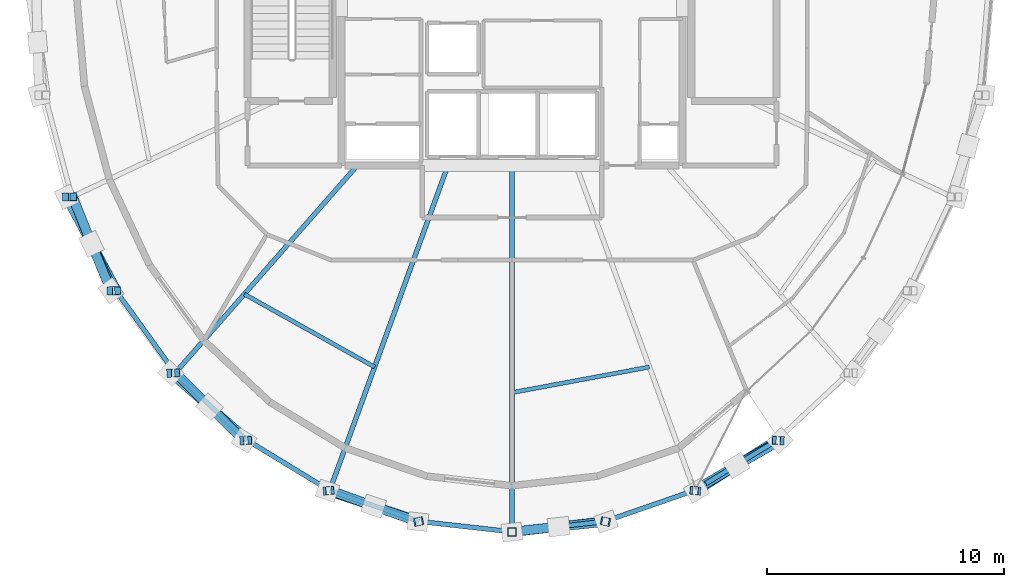
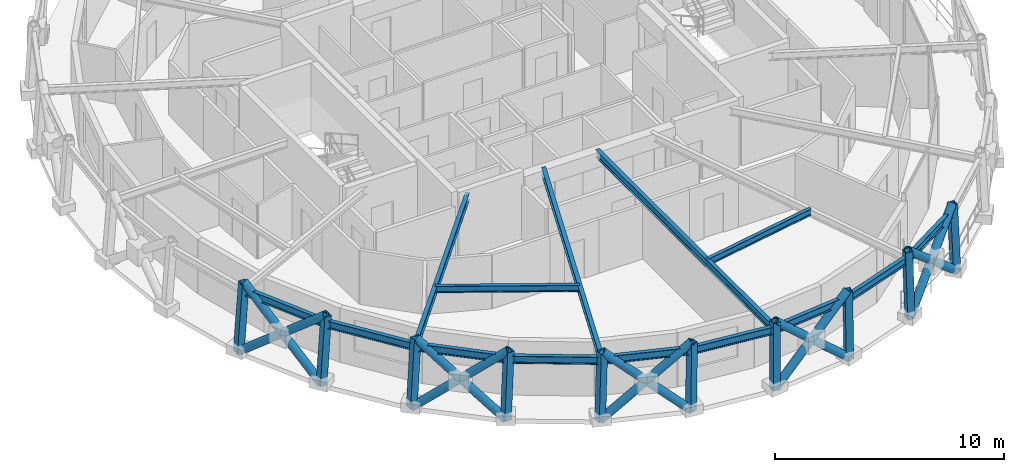
# One storey, part 1 of 16: 25 members, 14 beams.
"""IFC4 building model written with IfcOpenShell, lengths in metres."""

from ifc_helpers import new_model, si_unit, direction, frame, origin, origin_2d, place, context, subcontext, project, spatial, hollow_rectangle, hollow_circle, i_section, extrude, material, material_profile, profile_set, type_object, element, save


model = new_model("IFC4")

# Units and contexts
model_context = context("Model", 3, precision=1e-05, world=origin(), true_north=direction((0.0, 1.0)))
body_context = subcontext(model_context, "Body", "Model", "MODEL_VIEW")
ifc_project = project(units=[si_unit("LENGTHUNIT", "METRE"), si_unit("AREAUNIT", "SQUARE_METRE"), si_unit("VOLUMEUNIT", "CUBIC_METRE"), si_unit("PLANEANGLEUNIT", "RADIAN"), si_unit("MASSUNIT", "GRAM", prefix="KILO")], contexts=[model_context])

# Site, building, storey
site_placement = place(None, origin())
site = spatial("IfcSite", under=ifc_project, at=site_placement, CompositionType="ELEMENT")
building_placement = place(site_placement, origin())
building = spatial("IfcBuilding", under=site, at=building_placement, Name="Veldorina Hangang Commons", CompositionType="ELEMENT")
storey_placement = place(building_placement, frame((0.0, 0.0, 283.199951171875)))
storey = spatial("IfcBuildingStorey", under=building, at=storey_placement, Name="L74", CompositionType="ELEMENT", Elevation=283.199951171875)

# Beams
ifc_material = material(Name="Steel SM355-TMC", Category="steel")
ifc_material_profile_1 = material_profile(ifc_material, i_section(OverallWidth=0.199951171875, OverallDepth=0.39990234375, WebThickness=0.008056640625, FlangeThickness=0.012939453125, FilletRadius=0.012939453125, at=origin_2d()), Name="H-400x200x8x13")
ifc_profile_set_1 = profile_set([ifc_material_profile_1], Name="Steel SM355-TMC")
beam_type_1 = type_object("IfcBeamType", Name="BM-FG400", PredefinedType="BEAM", material=ifc_profile_set_1)
beam_1_placement = place(storey_placement, frame((25.45849609375, 16.550048828125, 3.16015625), z_axis=(-0.659795122774, -0.75144553759, 0.0), x_axis=(0.75144553759, -0.659795122774, 0.0)))
element("IfcBeam", 1, at=beam_1_placement, inside=storey, type_object=beam_type_1, Name="L74 radial floor girder 11", PredefinedType="BEAM", context=body_context, shape_type="SweptSolid", body=[
    extrude(i_section(OverallWidth=0.199951171875, OverallDepth=0.39990234375, WebThickness=0.008056640625, FlangeThickness=0.012939453125, FilletRadius=0.012939453125, at=origin_2d()), origin(), (0.0, 0.0, 1.0), 11.670166015625),
])
beam_2_placement = place(storey_placement, frame((29.290283203125, 16.550048828125, 3.16015625), z_axis=(-0.341787301466, -0.939777335626, 0.0), x_axis=(0.939777335626, -0.341787301466, 0.0)))
element("IfcBeam", 2, at=beam_2_placement, inside=storey, type_object=beam_type_1, Name="L74 radial floor girder 12", PredefinedType="BEAM", context=body_context, shape_type="SweptSolid", body=[
    extrude(i_section(OverallWidth=0.199951171875, OverallDepth=0.39990234375, WebThickness=0.008056640625, FlangeThickness=0.012939453125, FilletRadius=0.012939453125, at=origin_2d()), origin(), (0.0, 0.0, 1.0), 14.62255859375),
])
beam_3_placement = place(storey_placement, frame((32.0, 16.550048828125, 3.16015625), z_axis=(0.0, -1.0, 0.0), x_axis=(1.0, 0.0, 0.0)))
element("IfcBeam", 3, at=beam_3_placement, inside=storey, type_object=beam_type_1, Name="L74 radial floor girder 13", PredefinedType="BEAM", context=body_context, shape_type="SweptSolid", body=[
    extrude(i_section(OverallWidth=0.199951171875, OverallDepth=0.39990234375, WebThickness=0.008056640625, FlangeThickness=0.012939453125, FilletRadius=0.012939453125, at=origin_2d()), origin(), (0.0, 0.0, 1.0), 15.488037109375),
])
ifc_material_profile_2 = material_profile(ifc_material, i_section(OverallWidth=0.175048828125, OverallDepth=0.35009765625, WebThickness=0.007080078125, FlangeThickness=0.010986328125, FilletRadius=0.012939453125, at=origin_2d()), Name="H-350x175x7x11")
ifc_profile_set_2 = profile_set([ifc_material_profile_2], Name="Steel SM355-TMC")
beam_type_2 = type_object("IfcBeamType", Name="BM-JST350", PredefinedType="JOIST", material=ifc_profile_set_2)
beam_4_placement = place(storey_placement, frame((20.6845703125, 11.11279296875, 3.18505859375), z_axis=(0.872587140642, -0.488458475191, 0.0), x_axis=(0.488458475191, 0.872587140642, 0.0)))
element("IfcBeam", 4, at=beam_4_placement, inside=storey, type_object=beam_type_2, Name="L74 secondary floor joist 11", PredefinedType="JOIST", context=body_context, shape_type="SweptSolid", body=[
    extrude(i_section(OverallWidth=0.175048828125, OverallDepth=0.35009765625, WebThickness=0.007080078125, FlangeThickness=0.010986328125, FilletRadius=0.012939453125, at=origin_2d()), origin(), (0.0, 0.0, 1.0), 6.311279296875),
])
beam_5_placement = place(storey_placement, frame((32.0, 6.947509765625, 3.18505859375), z_axis=(0.983072284803, 0.183218129159, 0.0), x_axis=(-0.183218129159, 0.983072284803, 0.0)))
element("IfcBeam", 5, at=beam_5_placement, inside=storey, type_object=beam_type_2, Name="L74 secondary floor joist 13", PredefinedType="JOIST", context=body_context, shape_type="SweptSolid", body=[
    extrude(i_section(OverallWidth=0.175048828125, OverallDepth=0.35009765625, WebThickness=0.007080078125, FlangeThickness=0.010986328125, FilletRadius=0.012939453125, at=origin_2d()), origin(), (0.0, 0.0, 1.0), 5.908447265625),
])
ifc_material_profile_3 = material_profile(ifc_material, i_section(OverallWidth=0.199951171875, OverallDepth=0.39990234375, WebThickness=0.008056640625, FlangeThickness=0.012939453125, FilletRadius=0.012939453125, at=origin_2d()), Name="H-400x200x8x13")
ifc_profile_set_3 = profile_set([ifc_material_profile_3], Name="Steel SM355-TMC")
beam_type_3 = type_object("IfcBeamType", Name="BM-RB400", PredefinedType="BEAM", material=ifc_profile_set_3)
beam_6_placement = place(storey_placement, frame((13.392578125, 15.221923828125, 3.16015625), z_axis=(0.424895020661, -0.905242631242, 0.0), x_axis=(0.905242631242, 0.424895020661, 0.0)))
element("IfcBeam", 6, at=beam_6_placement, inside=storey, type_object=beam_type_3, Name="L74 perimeter hoop ring beam 18", PredefinedType="BEAM", context=body_context, shape_type="SweptSolid", body=[
    extrude(i_section(OverallWidth=0.199951171875, OverallDepth=0.39990234375, WebThickness=0.008056640625, FlangeThickness=0.012939453125, FilletRadius=0.012939453125, at=origin_2d()), origin(), (0.0, 0.0, 1.0), 4.380615234375),
])
beam_7_placement = place(storey_placement, frame((15.25390625, 11.25634765625, 3.16015625), z_axis=(0.584618434939, -0.811308378811, 0.0), x_axis=(0.811308378811, 0.584618434939, 0.0)))
element("IfcBeam", 7, at=beam_7_placement, inside=storey, type_object=beam_type_3, Name="L74 perimeter hoop ring beam 19", PredefinedType="BEAM", context=body_context, shape_type="SweptSolid", body=[
    extrude(i_section(OverallWidth=0.199951171875, OverallDepth=0.39990234375, WebThickness=0.008056640625, FlangeThickness=0.012939453125, FilletRadius=0.012939453125, at=origin_2d()), origin(), (0.0, 0.0, 1.0), 4.2841796875),
])
beam_8_placement = place(storey_placement, frame((17.758544921875, 7.780517578125, 3.16015625), z_axis=(0.730577006901, -0.682830313466, 0.0), x_axis=(0.682830313466, 0.730577006901, 0.0)))
element("IfcBeam", 8, at=beam_8_placement, inside=storey, type_object=beam_type_3, Name="L74 perimeter hoop ring beam 20", PredefinedType="BEAM", context=body_context, shape_type="SweptSolid", body=[
    extrude(i_section(OverallWidth=0.199951171875, OverallDepth=0.39990234375, WebThickness=0.008056640625, FlangeThickness=0.012939453125, FilletRadius=0.012939453125, at=origin_2d()), origin(), (0.0, 0.0, 1.0), 4.177490234375),
])
beam_9_placement = place(storey_placement, frame((20.810546875, 4.927978515625, 3.16015625), z_axis=(0.854151135706, -0.520024843033, 0.0), x_axis=(0.520024843033, 0.854151135706, 0.0)))
element("IfcBeam", 9, at=beam_9_placement, inside=storey, type_object=beam_type_3, Name="L74 perimeter hoop ring beam 21", PredefinedType="BEAM", context=body_context, shape_type="SweptSolid", body=[
    extrude(i_section(OverallWidth=0.199951171875, OverallDepth=0.39990234375, WebThickness=0.008056640625, FlangeThickness=0.012939453125, FilletRadius=0.012939453125, at=origin_2d()), origin(), (0.0, 0.0, 1.0), 4.076416015625),
])
beam_10_placement = place(storey_placement, frame((24.29248046875, 2.80810546875, 3.16015625), z_axis=(0.94517615368, -0.326560926191, 0.0), x_axis=(0.326560926191, 0.94517615368, 0.0)))
element("IfcBeam", 10, at=beam_10_placement, inside=storey, type_object=beam_type_3, Name="L74 perimeter hoop ring beam 22", PredefinedType="BEAM", context=body_context, shape_type="SweptSolid", body=[
    extrude(i_section(OverallWidth=0.199951171875, OverallDepth=0.39990234375, WebThickness=0.008056640625, FlangeThickness=0.012939453125, FilletRadius=0.012939453125, at=origin_2d()), origin(), (0.0, 0.0, 1.0), 3.99755859375),
])
for number, where, z_axis, x_axis, name in (
    (11, (28.07080078125, 1.502685546875, 3.16015625), (0.99376950146, -0.111454824788, 0.0), (0.111454824788, 0.99376950146, 0.0), "L74 perimeter hoop ring beam 23"),
    (12, (32.0, 1.06201171875, 3.16015625), (0.99376950146, 0.111454824788, 0.0), (-0.111454824788, 0.99376950146, 0.0), "L74 perimeter hoop ring beam 24"),
):
    element("IfcBeam", number, at=place(storey_placement, frame(where, z_axis=z_axis, x_axis=x_axis)), inside=storey, type_object=beam_type_3, Name=name, PredefinedType="BEAM", context=body_context, shape_type="SweptSolid", body=[
        extrude(i_section(OverallWidth=0.199951171875, OverallDepth=0.39990234375, WebThickness=0.008056640625, FlangeThickness=0.012939453125, FilletRadius=0.012939453125, at=origin_2d()), origin(), (0.0, 0.0, 1.0), 3.953857421875),
    ])
beam_11_placement = place(storey_placement, frame((35.92919921875, 1.502685546875, 3.16015625), z_axis=(0.94517615368, 0.326560926191, 0.0), x_axis=(-0.326560926191, 0.94517615368, 0.0)))
element("IfcBeam", 13, at=beam_11_placement, inside=storey, type_object=beam_type_3, Name="L74 perimeter hoop ring beam 25", PredefinedType="BEAM", context=body_context, shape_type="SweptSolid", body=[
    extrude(i_section(OverallWidth=0.199951171875, OverallDepth=0.39990234375, WebThickness=0.008056640625, FlangeThickness=0.012939453125, FilletRadius=0.012939453125, at=origin_2d()), origin(), (0.0, 0.0, 1.0), 3.99755859375),
])
beam_12_placement = place(storey_placement, frame((39.70751953125, 2.80810546875, 3.16015625), z_axis=(0.854151135706, 0.520024843033, 0.0), x_axis=(-0.520024843033, 0.854151135706, 0.0)))
element("IfcBeam", 14, at=beam_12_placement, inside=storey, type_object=beam_type_3, Name="L74 perimeter hoop ring beam 26", PredefinedType="BEAM", context=body_context, shape_type="SweptSolid", body=[
    extrude(i_section(OverallWidth=0.199951171875, OverallDepth=0.39990234375, WebThickness=0.008056640625, FlangeThickness=0.012939453125, FilletRadius=0.012939453125, at=origin_2d()), origin(), (0.0, 0.0, 1.0), 4.076416015625),
])

# Members
ifc_material_profile_4 = material_profile(ifc_material, hollow_circle(Radius=0.199951171875, WallThickness=0.02001953125, at=origin_2d()), Name="CHS-400x20")
ifc_profile_set_4 = profile_set([ifc_material_profile_4], Name="Steel SM355-TMC")
member_type_1 = type_object("IfcMemberType", Name="DG-CHS400", PredefinedType="BRACE", material=ifc_profile_set_4)
member_1_placement = place(storey_placement, frame((13.162353515625, 15.218017578125, 0.0), z_axis=(0.368295600962, -0.687993993092, 0.62531801172), x_axis=(0.881625339727, 0.471949955346, 0.0)))
element("IfcMember", 15, at=member_1_placement, inside=storey, type_object=member_type_1, Name="L74 continuous perimeter diagrid brace 18", PredefinedType="BRACE", context=body_context, shape_type="SweptSolid", body=[
    extrude(hollow_circle(Radius=0.199951171875, WallThickness=0.02001953125, at=origin_2d()), origin(), (0.0, 0.0, 1.0), 5.75732421875),
])
member_2_placement = place(storey_placement, frame((15.046630859375, 11.25048828125, 0.0), z_axis=(-0.293320769512, 0.707574322892, 0.642885295956), x_axis=(-0.923771537322, -0.382944051832, 0.0)))
element("IfcMember", 16, at=member_2_placement, inside=storey, type_object=member_type_1, Name="L74 split perimeter diagrid lower brace 19", PredefinedType="BRACE", context=body_context, shape_type="SweptSolid", body=[
    extrude(hollow_circle(Radius=0.199951171875, WallThickness=0.02001953125, at=origin_2d()), origin(), (0.0, 0.0, 1.0), 2.80419921875),
])
member_3_placement = place(storey_placement, frame((14.22412109375, 13.234619140625, 1.802734375), z_axis=(-0.28588382267, 0.710825028397, 0.642649374807), x_axis=(-0.927775717402, -0.373138336546, 0.0)))
element("IfcMember", 17, at=member_3_placement, inside=storey, type_object=member_type_1, Name="L74 split perimeter diagrid upper brace 19", PredefinedType="BRACE", context=body_context, shape_type="SweptSolid", body=[
    extrude(hollow_circle(Radius=0.199951171875, WallThickness=0.02001953125, at=origin_2d()), origin(), (0.0, 0.0, 1.0), 2.796875),
])
member_4_placement = place(storey_placement, frame((17.582275390625, 7.77294921875, 0.0), z_axis=(0.577767279246, -0.505926422241, 0.640486866619), x_axis=(0.658784848468, 0.752331392027, 0.0)))
element("IfcMember", 18, at=member_4_placement, inside=storey, type_object=member_type_1, Name="L74 continuous perimeter diagrid brace 20", PredefinedType="BRACE", context=body_context, shape_type="SweptSolid", body=[
    extrude(hollow_circle(Radius=0.199951171875, WallThickness=0.02001953125, at=origin_2d()), origin(), (0.0, 0.0, 1.0), 5.620849609375),
])
member_5_placement = place(storey_placement, frame((20.672119140625, 4.9189453125, 0.0), z_axis=(-0.535466654906, 0.52328678117, 0.662907539658), x_axis=(-0.69892599509, -0.71519399703, 0.0)))
element("IfcMember", 19, at=member_5_placement, inside=storey, type_object=member_type_1, Name="L74 split perimeter diagrid lower brace 21", PredefinedType="BRACE", context=body_context, shape_type="SweptSolid", body=[
    extrude(hollow_circle(Radius=0.199951171875, WallThickness=0.02001953125, at=origin_2d()), origin(), (0.0, 0.0, 1.0), 2.72607421875),
])
member_6_placement = place(storey_placement, frame((19.21240234375, 6.345458984375, 1.80712890625), z_axis=(-0.528328727047, 0.530765084968, 0.662689354642), x_axis=(-0.708731546715, -0.70547827372, 0.0)))
element("IfcMember", 20, at=member_6_placement, inside=storey, type_object=member_type_1, Name="L74 split perimeter diagrid upper brace 21", PredefinedType="BRACE", context=body_context, shape_type="SweptSolid", body=[
    extrude(hollow_circle(Radius=0.199951171875, WallThickness=0.02001953125, at=origin_2d()), origin(), (0.0, 0.0, 1.0), 2.70556640625),
])
member_7_placement = place(storey_placement, frame((24.197265625, 2.79833984375, 0.0), z_axis=(0.712095165121, -0.237469601406, 0.66070315893), x_axis=(0.316353110715, 0.948641507283, 0.0)))
element("IfcMember", 21, at=member_7_placement, inside=storey, type_object=member_type_1, Name="L74 continuous perimeter diagrid brace 22", PredefinedType="BRACE", context=body_context, shape_type="SweptSolid", body=[
    extrude(hollow_circle(Radius=0.199951171875, WallThickness=0.02001953125, at=origin_2d()), origin(), (0.0, 0.0, 1.0), 5.448974609375),
])
member_8_placement = place(storey_placement, frame((28.022216796875, 1.492431640625, 0.0), z_axis=(-0.697046874589, 0.243739206995, 0.674326963423), x_axis=(-0.330076310668, -0.943954251612, 0.0)))
element("IfcMember", 22, at=member_8_placement, inside=storey, type_object=member_type_1, Name="L74 split perimeter diagrid lower brace 23", PredefinedType="BRACE", context=body_context, shape_type="SweptSolid", body=[
    extrude(hollow_circle(Radius=0.199951171875, WallThickness=0.02001953125, at=origin_2d()), origin(), (0.0, 0.0, 1.0), 2.6865234375),
])
member_9_placement = place(storey_placement, frame((26.149658203125, 2.147216796875, 1.8115234375), z_axis=(-0.695031410602, 0.249684880424, 0.67423200663), x_axis=(-0.338088359532, -0.941114371981, 0.0)))
element("IfcMember", 23, at=member_9_placement, inside=storey, type_object=member_type_1, Name="L74 split perimeter diagrid upper brace 23", PredefinedType="BRACE", context=body_context, shape_type="SweptSolid", body=[
    extrude(hollow_circle(Radius=0.199951171875, WallThickness=0.02001953125, at=origin_2d()), origin(), (0.0, 0.0, 1.0), 2.65283203125),
])
member_10_placement = place(storey_placement, frame((32.0, 1.051513671875, 0.0), z_axis=(0.734093891992, 0.084754102797, 0.67373800531), x_axis=(-0.114692164373, 0.993401080849, 0.0)))
element("IfcMember", 24, at=member_10_placement, inside=storey, type_object=member_type_1, Name="L74 continuous perimeter diagrid brace 24", PredefinedType="BRACE", context=body_context, shape_type="SweptSolid", body=[
    extrude(hollow_circle(Radius=0.199951171875, WallThickness=0.02001953125, at=origin_2d()), origin(), (0.0, 0.0, 1.0), 5.343505859375),
])
member_11_placement = place(storey_placement, frame((35.977783203125, 1.492431640625, 0.0), z_axis=(-0.739183767217, -0.0785675579, 0.668905447077), x_axis=(0.105694252157, -0.99439867511, 0.0)))
element("IfcMember", 25, at=member_11_placement, inside=storey, type_object=member_type_1, Name="L74 split perimeter diagrid lower brace 25", PredefinedType="BRACE", context=body_context, shape_type="SweptSolid", body=[
    extrude(hollow_circle(Radius=0.199951171875, WallThickness=0.02001953125, at=origin_2d()), origin(), (0.0, 0.0, 1.0), 2.709716796875),
])
member_12_placement = place(storey_placement, frame((33.974853515625, 1.279541015625, 1.8125), z_axis=(-0.738960128337, -0.080756676159, 0.668891835788), x_axis=(0.108637408187, -0.994081442107, 0.0)))
element("IfcMember", 26, at=member_12_placement, inside=storey, type_object=member_type_1, Name="L74 split perimeter diagrid upper brace 25", PredefinedType="BRACE", context=body_context, shape_type="SweptSolid", body=[
    extrude(hollow_circle(Radius=0.199951171875, WallThickness=0.02001953125, at=origin_2d()), origin(), (0.0, 0.0, 1.0), 2.67236328125),
])
member_13_placement = place(storey_placement, frame((39.802734375, 2.79833984375, 0.0), z_axis=(0.627039182671, 0.396780829867, 0.67036321233), x_axis=(-0.53472117984, 0.84502855563, 0.0)))
element("IfcMember", 27, at=member_13_placement, inside=storey, type_object=member_type_1, Name="L74 continuous perimeter diagrid brace 26", PredefinedType="BRACE", context=body_context, shape_type="SweptSolid", body=[
    extrude(hollow_circle(Radius=0.199951171875, WallThickness=0.02001953125, at=origin_2d()), origin(), (0.0, 0.0, 1.0), 5.370361328125),
])
member_14_placement = place(storey_placement, frame((43.327880859375, 4.9189453125, 0.0), z_axis=(-0.6590176559, -0.377396683457, 0.650590095627), x_axis=(0.49694789602, -0.86778038042, 0.0)))
element("IfcMember", 28, at=member_14_placement, inside=storey, type_object=member_type_1, Name="L74 split perimeter diagrid lower brace 27", PredefinedType="BRACE", context=body_context, shape_type="SweptSolid", body=[
    extrude(hollow_circle(Radius=0.199951171875, WallThickness=0.02001953125, at=origin_2d()), origin(), (0.0, 0.0, 1.0), 2.781005859375),
])
member_15_placement = place(storey_placement, frame((41.4951171875, 3.869384765625, 1.809326171875), z_axis=(-0.654431234372, -0.385100445765, 0.650705314371), x_axis=(0.507157973185, -0.861853114072, 0.0)))
element("IfcMember", 29, at=member_15_placement, inside=storey, type_object=member_type_1, Name="L74 split perimeter diagrid upper brace 27", PredefinedType="BRACE", context=body_context, shape_type="SweptSolid", body=[
    extrude(hollow_circle(Radius=0.199951171875, WallThickness=0.02001953125, at=origin_2d()), origin(), (0.0, 0.0, 1.0), 2.751953125),
])
ifc_material_profile_5 = material_profile(ifc_material, hollow_rectangle(XDim=0.35009765625, YDim=0.35009765625, WallThickness=0.01611328125, at=origin_2d()), Name="SHS-350x350x16")
ifc_profile_set_5 = profile_set([ifc_material_profile_5], Name="Steel SM355-TMC")
member_type_2 = type_object("IfcMemberType", Name="STR-SHS350", PredefinedType="STRUT", material=ifc_profile_set_5)
member_16_placement = place(storey_placement, frame((13.162353515625, 15.218017578125, 0.0), z_axis=(0.072640836823, 0.001285079981, 0.997357336863), x_axis=(-0.017688107552, 0.999843553188, 0.0)))
element("IfcMember", 30, at=member_16_placement, inside=storey, type_object=member_type_2, Name="L74 perimeter ring node post 18", PredefinedType="STRUT", context=body_context, shape_type="SweptSolid", body=[
    extrude(hollow_rectangle(XDim=0.35009765625, YDim=0.35009765625, WallThickness=0.01611328125, at=origin_2d()), origin(), (0.0, 0.0, 1.0), 3.609619140625),
])
member_17_placement = place(storey_placement, frame((15.046630859375, 11.25048828125, 0.0), z_axis=(0.065436447107, 0.001827077634, 0.997855066218), x_axis=(-0.027910528938, 0.999610425303, 0.0)))
element("IfcMember", 31, at=member_17_placement, inside=storey, type_object=member_type_2, Name="L74 perimeter ring node post 19", PredefinedType="STRUT", context=body_context, shape_type="SweptSolid", body=[
    extrude(hollow_rectangle(XDim=0.35009765625, YDim=0.35009765625, WallThickness=0.01611328125, at=origin_2d()), origin(), (0.0, 0.0, 1.0), 3.60791015625),
])
member_18_placement = place(storey_placement, frame((17.582275390625, 7.77294921875, 0.0), z_axis=(0.055657366642, 0.002369839212, 0.998447114974), x_axis=(-0.042540530373, 0.999094741892, 0.0)))
element("IfcMember", 32, at=member_18_placement, inside=storey, type_object=member_type_2, Name="L74 perimeter ring node post 20", PredefinedType="STRUT", context=body_context, shape_type="SweptSolid", body=[
    extrude(hollow_rectangle(XDim=0.35009765625, YDim=0.35009765625, WallThickness=0.01611328125, at=origin_2d()), origin(), (0.0, 0.0, 1.0), 3.605712890625),
])
member_19_placement = place(storey_placement, frame((20.672119140625, 4.9189453125, 0.0), z_axis=(0.043766335393, 0.002845489298, 0.999037742569), x_axis=(-0.064878503348, 0.997893170536, 0.0)))
element("IfcMember", 33, at=member_19_placement, inside=storey, type_object=member_type_2, Name="L74 perimeter ring node post 21", PredefinedType="STRUT", context=body_context, shape_type="SweptSolid", body=[
    extrude(hollow_rectangle(XDim=0.35009765625, YDim=0.35009765625, WallThickness=0.01611328125, at=origin_2d()), origin(), (0.0, 0.0, 1.0), 3.603515625),
])
member_20_placement = place(storey_placement, frame((24.197265625, 2.79833984375, 0.0), z_axis=(0.030163796764, 0.003118055396, 0.999540105796), x_axis=(-0.102822888283, 0.994699680127, 0.0)))
element("IfcMember", 34, at=member_20_placement, inside=storey, type_object=member_type_2, Name="L74 perimeter ring node post 22", PredefinedType="STRUT", context=body_context, shape_type="SweptSolid", body=[
    extrude(hollow_rectangle(XDim=0.35009765625, YDim=0.35009765625, WallThickness=0.01611328125, at=origin_2d()), origin(), (0.0, 0.0, 1.0), 3.601806640625),
])
member_21_placement = place(storey_placement, frame((28.022216796875, 1.492431640625, 0.0), z_axis=(0.015324305885, 0.003322526497, 0.999877055676), x_axis=(-0.211891025137, 0.977293299612, 0.0)))
element("IfcMember", 35, at=member_21_placement, inside=storey, type_object=member_type_2, Name="L74 perimeter ring node post 23", PredefinedType="STRUT", context=body_context, shape_type="SweptSolid", body=[
    extrude(hollow_rectangle(XDim=0.35009765625, YDim=0.35009765625, WallThickness=0.01611328125, at=origin_2d()), origin(), (0.0, 0.0, 1.0), 3.6005859375),
])
member_22_placement = place(storey_placement, frame((32.0, 1.051513671875, 0.0), z_axis=(0.0, 0.003390730542, 0.999994251457), x_axis=(-1.0, 0.0, 0.0)))
element("IfcMember", 36, at=member_22_placement, inside=storey, type_object=member_type_2, Name="L74 perimeter ring node post 24", PredefinedType="STRUT", context=body_context, shape_type="SweptSolid", body=[
    extrude(hollow_rectangle(XDim=0.35009765625, YDim=0.35009765625, WallThickness=0.01611328125, at=origin_2d()), origin(), (0.0, 0.0, 1.0), 3.60009765625),
])
member_23_placement = place(storey_placement, frame((35.977783203125, 1.492431640625, 0.0), z_axis=(-0.015324305885, 0.003322526497, 0.999877055676), x_axis=(-0.211891025137, -0.977293299612, 0.0)))
element("IfcMember", 37, at=member_23_placement, inside=storey, type_object=member_type_2, Name="L74 perimeter ring node post 25", PredefinedType="STRUT", context=body_context, shape_type="SweptSolid", body=[
    extrude(hollow_rectangle(XDim=0.35009765625, YDim=0.35009765625, WallThickness=0.01611328125, at=origin_2d()), origin(), (0.0, 0.0, 1.0), 3.6005859375),
])
member_24_placement = place(storey_placement, frame((39.802734375, 2.79833984375, 0.0), z_axis=(-0.030163796764, 0.003118055396, 0.999540105796), x_axis=(-0.102822888283, -0.994699680127, 0.0)))
element("IfcMember", 38, at=member_24_placement, inside=storey, type_object=member_type_2, Name="L74 perimeter ring node post 26", PredefinedType="STRUT", context=body_context, shape_type="SweptSolid", body=[
    extrude(hollow_rectangle(XDim=0.35009765625, YDim=0.35009765625, WallThickness=0.01611328125, at=origin_2d()), origin(), (0.0, 0.0, 1.0), 3.601806640625),
])
member_25_placement = place(storey_placement, frame((43.327880859375, 4.9189453125, 0.0), z_axis=(-0.043766335393, 0.002845489298, 0.999037742569), x_axis=(-0.064878503348, -0.997893170536, 0.0)))
element("IfcMember", 39, at=member_25_placement, inside=storey, type_object=member_type_2, Name="L74 perimeter ring node post 27", PredefinedType="STRUT", context=body_context, shape_type="SweptSolid", body=[
    extrude(hollow_rectangle(XDim=0.35009765625, YDim=0.35009765625, WallThickness=0.01611328125, at=origin_2d()), origin(), (0.0, 0.0, 1.0), 3.603515625),
])

save(model, "model.ifc")
